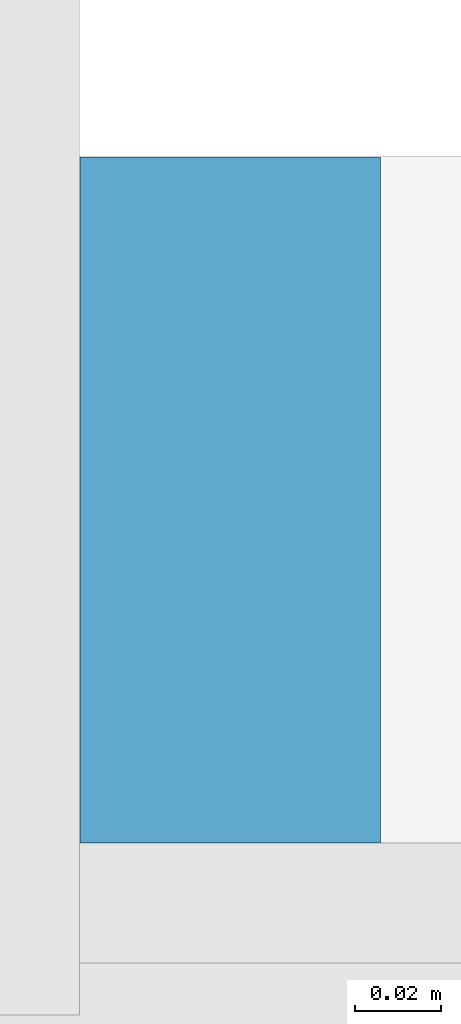
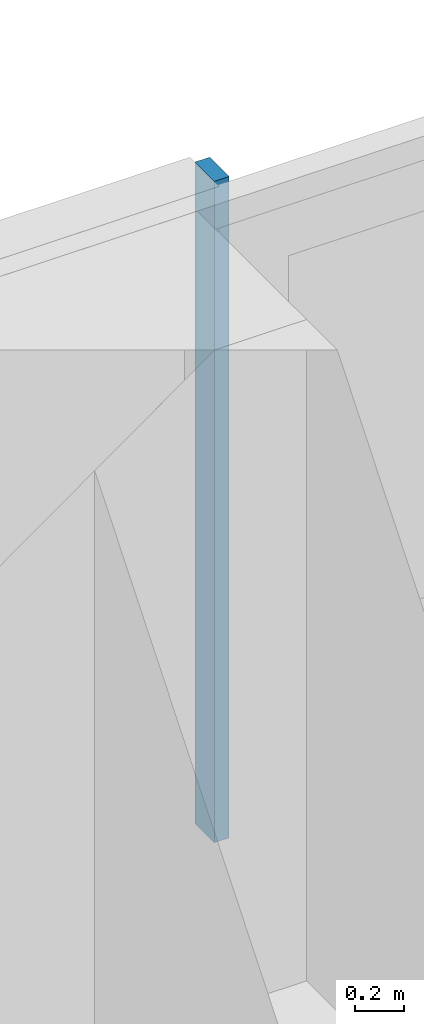
# One storey, part 11 of 26: 1 member, 1 element without a shape of its own.
"""IFC4 building model written with IfcOpenShell, lengths in metres."""

from ifc_helpers import new_model, si_unit, direction, frame, origin, origin_2d, place, context, subcontext, project, spatial, rectangle, extrude, material, material_profile, profile_set, type_object, element, aggregate, save


model = new_model("IFC4")

# Units and contexts
model_context = context("Model", 3, precision=1e-05, world=origin(), true_north=direction((0.0, 1.0)))
body_context = subcontext(model_context, "Body", "Model", "MODEL_VIEW")
ifc_project = project(units=[si_unit("LENGTHUNIT", "METRE"), si_unit("AREAUNIT", "SQUARE_METRE"), si_unit("VOLUMEUNIT", "CUBIC_METRE"), si_unit("PLANEANGLEUNIT", "RADIAN"), si_unit("MASSUNIT", "GRAM", prefix="KILO")], contexts=[model_context])

# Site, building, storey
site_placement = place(None, origin())
site = spatial("IfcSite", under=ifc_project, at=site_placement, CompositionType="ELEMENT")
building_placement = place(site_placement, origin())
building = spatial("IfcBuilding", under=site, at=building_placement, Name="Saffron Gate Tower", CompositionType="ELEMENT")
storey_placement = place(building_placement, frame((0.0, 0.0, 138.449951171875)))
storey = spatial("IfcBuildingStorey", under=building, at=storey_placement, Name="L33", CompositionType="ELEMENT", Elevation=138.449951171875)

# Curtain wall, member
ifc_material = material(Name="Aluminium, bronze anodised", Category="aluminium")
curtain_wall_type = type_object("IfcCurtainWallType", Name="CWS3 curtain wall rear facade", PredefinedType="NOTDEFINED", material=ifc_material)
curtain_wall_placement = place(storey_placement, origin())
curtain_wall = element("IfcCurtainWall", 1, at=curtain_wall_placement, inside=storey, type_object=curtain_wall_type, Name="CWS3 run 7", PredefinedType="NOTDEFINED")
ifc_material_profile = material_profile(ifc_material, rectangle(XDim=0.159912109375, YDim=0.070068359375, at=origin_2d()))
ifc_profile_set = profile_set([ifc_material_profile], Name="Aluminium, bronze anodised")
member_type = type_object("IfcMemberType", Name="CWS3 mullion 70x160", PredefinedType="MULLION", material=ifc_profile_set)
member_placement = place(storey_placement, frame((108.60009765625, 75.52001953125, 0.0), z_axis=(0.0, 0.0, 1.0), x_axis=(0.0, -1.0, 0.0)))
member = element("IfcMember", 2, at=member_placement, type_object=member_type, Name="CWS3 mullion 3", PredefinedType="MULLION", context=body_context, shape_type="SweptSolid", body=[
    extrude(rectangle(XDim=0.159912109375, YDim=0.070068359375, at=origin_2d()), origin(), (0.0, 0.0, 1.0), 3.300048828125),
])
aggregate(curtain_wall, [member])

save(model, "model.ifc")
